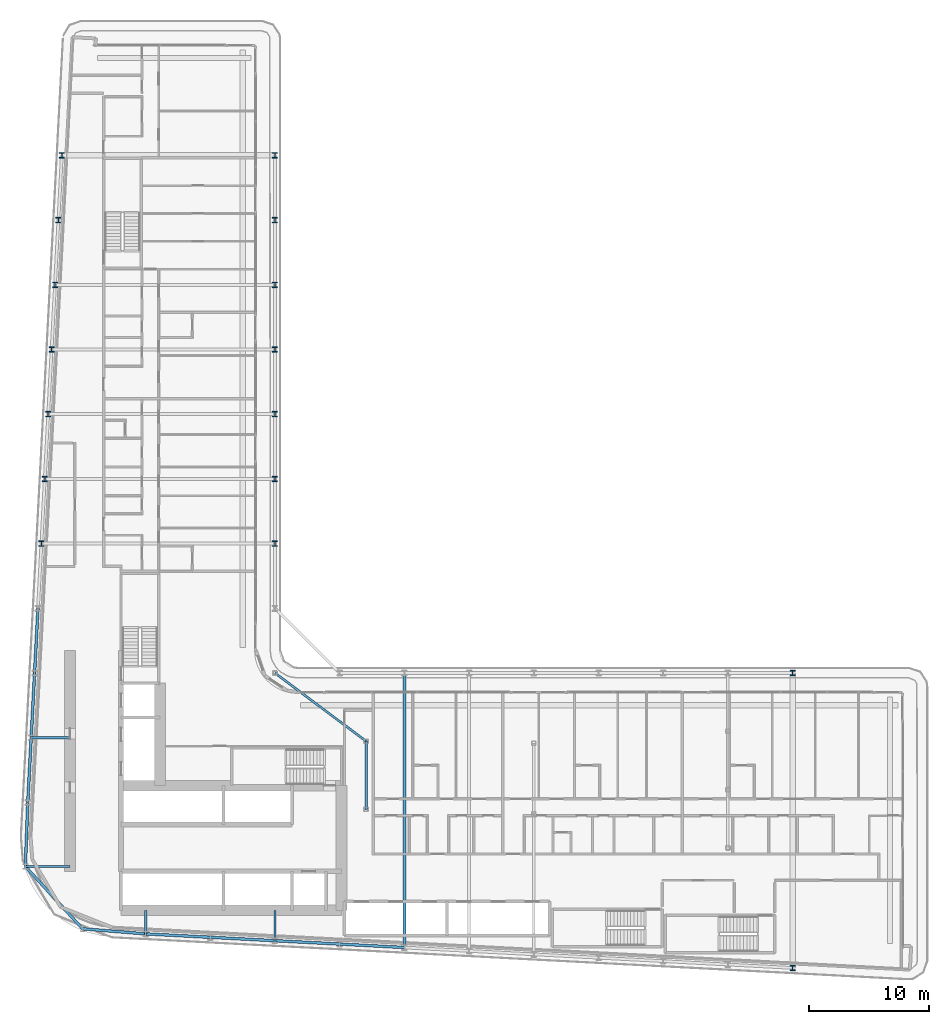
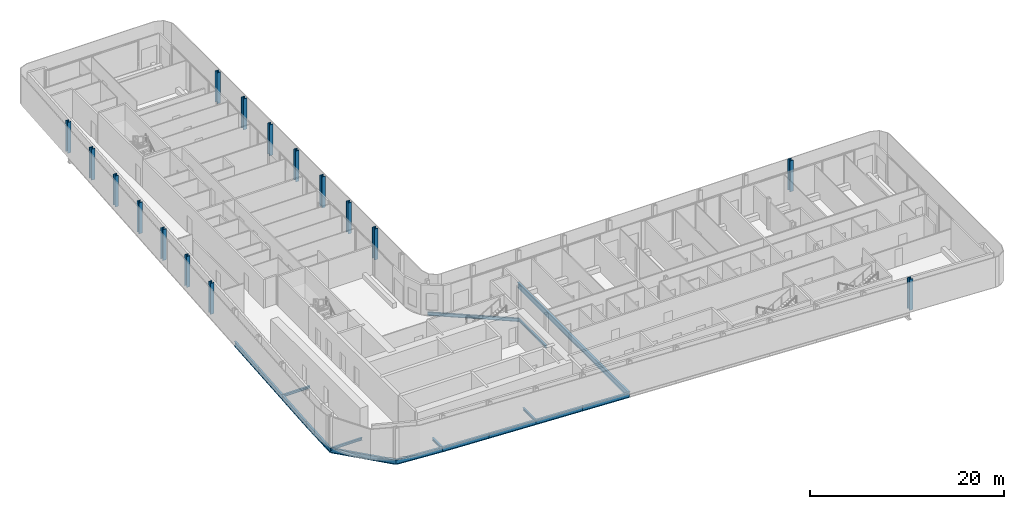
# One storey, part 3 of 29: 17 beams, 16 columns.
"""IFC4 building model written with IfcOpenShell, lengths in metres."""

from ifc_helpers import new_model, si_unit, direction, frame, origin, origin_2d, place, context, subcontext, project, spatial, i_section, extrude, material, material_profile, profile_set, type_object, element, save


model = new_model("IFC4")

# Units and contexts
model_context = context("Model", 3, precision=1e-05, world=origin(), true_north=direction((0.0, 1.0)))
body_context = subcontext(model_context, "Body", "Model", "MODEL_VIEW")
ifc_project = project(units=[si_unit("LENGTHUNIT", "METRE"), si_unit("AREAUNIT", "SQUARE_METRE"), si_unit("VOLUMEUNIT", "CUBIC_METRE"), si_unit("PLANEANGLEUNIT", "RADIAN"), si_unit("MASSUNIT", "GRAM", prefix="KILO")], contexts=[model_context])

# Site, building, storey
site_placement = place(None, origin())
site = spatial("IfcSite", under=ifc_project, at=site_placement, CompositionType="ELEMENT")
building_placement = place(site_placement, origin())
building = spatial("IfcBuilding", under=site, at=building_placement, Name="Kheshtan School and Residences Tower", CompositionType="ELEMENT")
storey_placement = place(building_placement, frame((0.0, 0.0, 121.39990234375)))
storey = spatial("IfcBuildingStorey", under=building, at=storey_placement, Name="L28", CompositionType="ELEMENT", Elevation=121.39990234375)

# Columns
ifc_material = material(Name="Steel ASTM A992 Grade 50", Category="steel")
ifc_material_profile_1 = material_profile(ifc_material, i_section(OverallWidth=0.41796875, OverallDepth=0.455078125, WebThickness=0.042236328125, FlangeThickness=0.067626953125, FilletRadius=0.013671875, at=origin_2d()), Name="W360x551")
ifc_profile_set_1 = profile_set([ifc_material_profile_1], Name="Steel ASTM A992 Grade 50")
column_type = type_object("IfcColumnType", Name="Column C2 W360x551 ASTM A992 Grade 50", PredefinedType="COLUMN", material=ifc_profile_set_1)
for number, where, z_axis, x_axis, name in (
    (1, (90.800048828125, 20.989990234375, 0.0), (0.0, 0.0, 1.0), (1.0, 0.0, 0.0), "Column C006"),
    (2, (90.800048828125, 45.60009765625, 0.0), (0.0, 0.0, 1.0), (1.0, 0.0, 0.0), "Column C068"),
    (3, (28.10595703125, 56.39990234375, 0.0), (0.0, 0.0, 1.0), (1.0, 0.0, 0.0), "Column C080"),
    (4, (47.60009765625, 56.39990234375, 0.0), (0.0, 0.0, 1.0), (1.0, 0.0, 0.0), "Column C081"),
    (5, (28.389892578125, 61.800048828125, 0.0), (0.0, 0.0, 1.0), (1.0, 0.0, 0.0), "Column C082"),
    (6, (47.60009765625, 61.800048828125, 0.0), (0.0, 0.0, 1.0), (1.0, 0.0, 0.0), "Column C083"),
    (7, (28.674072265625, 67.199951171875, 0.0), (0.0, 0.0, 1.0), (1.0, 0.0, 0.0), "Column C084"),
    (8, (47.60009765625, 67.199951171875, 0.0), (0.0, 0.0, 1.0), (1.0, 0.0, 0.0), "Column C085"),
    (9, (28.9580078125, 72.60009765625, 0.0), (0.0, 0.0, 1.0), (1.0, 0.0, 0.0), "Column C086"),
    (10, (47.60009765625, 72.60009765625, 0.0), (0.0, 0.0, 1.0), (1.0, 0.0, 0.0), "Column C087"),
    (11, (29.242919921875, 78.0, 0.0), (0.0, 0.0, 1.0), (1.0, 0.0, 0.0), "Column C088"),
    (12, (47.60009765625, 78.0, 0.0), (0.0, 0.0, 1.0), (1.0, 0.0, 0.0), "Column C089"),
    (13, (29.527099609375, 83.39990234375, 0.0), (0.0, 0.0, 1.0), (1.0, 0.0, 0.0), "Column C090"),
    (14, (47.60009765625, 83.39990234375, 0.0), (0.0, 0.0, 1.0), (1.0, 0.0, 0.0), "Column C091"),
    (15, (29.81103515625, 88.800048828125, 0.0), (0.0, 0.0, 1.0), (1.0, 0.0, 0.0), "Column C098"),
    (16, (47.60009765625, 88.800048828125, 0.0), (0.0, 0.0, 1.0), (1.0, 0.0, 0.0), "Column C099"),
):
    element("IfcColumn", number, at=place(storey_placement, frame(where, z_axis=z_axis, x_axis=x_axis)), inside=storey, type_object=column_type, Name=name, PredefinedType="COLUMN", context=body_context, shape_type="SweptSolid", body=[
        extrude(i_section(OverallWidth=0.41796875, OverallDepth=0.455078125, WebThickness=0.042236328125, FlangeThickness=0.067626953125, FilletRadius=0.013671875, at=origin_2d()), origin(), (0.0, 0.0, 1.0), 3.900146484375),
    ])

# Beams
ifc_material_profile_2 = material_profile(ifc_material, i_section(OverallWidth=0.202880859375, OverallDepth=0.302978515625, WebThickness=0.007568359375, FlangeThickness=0.01318359375, FilletRadius=0.009033203125, at=origin_2d()), Name="W310x60")
ifc_profile_set_2 = profile_set([ifc_material_profile_2], Name="Steel ASTM A992 Grade 50")
beam_type_1 = type_object("IfcBeamType", Name="Beam FB1 W310x60 ASTM A992 Grade 50", PredefinedType="BEAM", material=ifc_profile_set_2)
beam_1_placement = place(storey_placement, frame((47.60009765625, 23.263916015625, -0.301513671875), z_axis=(0.0, 1.0, 0.0), x_axis=(-1.0, 0.0, 0.0)))
element("IfcBeam", 17, at=beam_1_placement, inside=storey, type_object=beam_type_1, Name="Floor beam C020", PredefinedType="BEAM", context=body_context, shape_type="SweptSolid", body=[
    extrude(i_section(OverallWidth=0.202880859375, OverallDepth=0.302978515625, WebThickness=0.007568359375, FlangeThickness=0.01318359375, FilletRadius=0.009033203125, at=origin_2d()), origin(), (0.0, 0.0, 1.0), 2.5361328125),
])
beam_2_placement = place(storey_placement, frame((36.800048828125, 23.83203125, -0.301513671875), z_axis=(0.0, 1.0, 0.0), x_axis=(-1.0, 0.0, 0.0)))
element("IfcBeam", 18, at=beam_2_placement, inside=storey, type_object=beam_type_1, Name="Floor beam C022", PredefinedType="BEAM", context=body_context, shape_type="SweptSolid", body=[
    extrude(i_section(OverallWidth=0.202880859375, OverallDepth=0.302978515625, WebThickness=0.007568359375, FlangeThickness=0.01318359375, FilletRadius=0.009033203125, at=origin_2d()), origin(), (0.0, 0.0, 1.0), 1.968017578125),
])
beam_3_placement = place(storey_placement, frame((26.76904296875, 29.4541015625, -0.301513671875), z_axis=(1.0, 0.0, 0.0), x_axis=(0.0, 1.0, 0.0)))
element("IfcBeam", 19, at=beam_3_placement, inside=storey, type_object=beam_type_1, Name="Floor beam C038", PredefinedType="BEAM", context=body_context, shape_type="SweptSolid", body=[
    extrude(i_section(OverallWidth=0.202880859375, OverallDepth=0.302978515625, WebThickness=0.007568359375, FlangeThickness=0.01318359375, FilletRadius=0.009033203125, at=origin_2d()), origin(), (0.0, 0.0, 1.0), 3.73095703125),
])
beam_4_placement = place(storey_placement, frame((27.2529296875, 40.199951171875, -0.301513671875), z_axis=(1.0, 0.0, 0.0), x_axis=(0.0, 1.0, 0.0)))
element("IfcBeam", 20, at=beam_4_placement, inside=storey, type_object=beam_type_1, Name="Floor beam C056", PredefinedType="BEAM", context=body_context, shape_type="SweptSolid", body=[
    extrude(i_section(OverallWidth=0.202880859375, OverallDepth=0.302978515625, WebThickness=0.007568359375, FlangeThickness=0.01318359375, FilletRadius=0.009033203125, at=origin_2d()), origin(), (0.0, 0.0, 1.0), 3.2470703125),
])
beam_5_placement = place(storey_placement, frame((55.199951171875, 34.23193359375, -0.301513671875), z_axis=(0.0, 1.0, 0.0), x_axis=(-1.0, 0.0, 0.0)))
element("IfcBeam", 21, at=beam_5_placement, inside=storey, type_object=beam_type_1, Name="Floor beam IC", PredefinedType="BEAM", context=body_context, shape_type="SweptSolid", body=[
    extrude(i_section(OverallWidth=0.202880859375, OverallDepth=0.302978515625, WebThickness=0.007568359375, FlangeThickness=0.01318359375, FilletRadius=0.009033203125, at=origin_2d()), origin(), (0.0, 0.0, 1.0), 5.68408203125),
])
ifc_material_profile_3 = material_profile(ifc_material, i_section(OverallWidth=0.180908203125, OverallDepth=0.4169921875, WebThickness=0.010986328125, FlangeThickness=0.018310546875, FilletRadius=0.012451171875, at=origin_2d()), Name="W410x85")
ifc_profile_set_3 = profile_set([ifc_material_profile_3], Name="Steel ASTM A992 Grade 50")
beam_type_2 = type_object("IfcBeamType", Name="Beam FB3 W410x85 ASTM A992 Grade 50", PredefinedType="BEAM", material=ifc_profile_set_3)
beam_6_placement = place(storey_placement, frame((47.60009765625, 45.60009765625, -0.3583984375), z_axis=(0.800798828004, -0.598933416222, 0.0), x_axis=(0.598933416222, 0.800798828004, 0.0)))
element("IfcBeam", 22, at=beam_6_placement, inside=storey, type_object=beam_type_2, Name="Floor beam IC", PredefinedType="BEAM", context=body_context, shape_type="SweptSolid", body=[
    extrude(i_section(OverallWidth=0.180908203125, OverallDepth=0.4169921875, WebThickness=0.010986328125, FlangeThickness=0.018310546875, FilletRadius=0.012451171875, at=origin_2d()), origin(), (0.0, 0.0, 1.0), 9.490234375),
])
ifc_material_profile_4 = material_profile(ifc_material, i_section(OverallWidth=0.2529296875, OverallDepth=0.677978515625, WebThickness=0.01171875, FlangeThickness=0.016357421875, FilletRadius=0.0146484375, at=origin_2d()), Name="W690x125")
ifc_profile_set_4 = profile_set([ifc_material_profile_4], Name="Steel ASTM A992 Grade 50")
beam_type_3 = type_object("IfcBeamType", Name="Beam FB6 W690x125 ASTM A992 Grade 50", PredefinedType="BEAM", material=ifc_profile_set_4)
beam_7_placement = place(storey_placement, frame((58.39990234375, 22.695068359375, -0.489013671875), z_axis=(0.0, 1.0, 0.0), x_axis=(-1.0, 0.0, 0.0)))
element("IfcBeam", 23, at=beam_7_placement, inside=storey, type_object=beam_type_3, Name="Floor beam C018", PredefinedType="BEAM", context=body_context, shape_type="SweptSolid", body=[
    extrude(i_section(OverallWidth=0.2529296875, OverallDepth=0.677978515625, WebThickness=0.01171875, FlangeThickness=0.016357421875, FilletRadius=0.0146484375, at=origin_2d()), origin(), (0.0, 0.0, 1.0), 22.905029296875),
])
ifc_material_profile_5 = material_profile(ifc_material, i_section(OverallWidth=0.22802734375, OverallDepth=0.60302734375, WebThickness=0.010498046875, FlangeThickness=0.014892578125, FilletRadius=0.013427734375, at=origin_2d()), Name="W610x101")
ifc_profile_set_5 = profile_set([ifc_material_profile_5], Name="Steel ASTM A992 Grade 50")
beam_type_4 = type_object("IfcBeamType", Name="Beam SP2 W610x101 ASTM A992 Grade 50", PredefinedType="BEAM", material=ifc_profile_set_5)
for number, where, z_axis, x_axis, name in (
    (24, (58.39990234375, 22.695068359375, -0.451416015625), (-0.998610961136, 0.052689166816, 0.0), (-0.052689166816, -0.998610961136, 0.0), "Spandrel beam C018-C019"),
    (25, (53.0, 22.97998046875, -0.451416015625), (-0.998620447272, 0.05250906864, 0.0), (-0.05250906864, -0.998620447272, 0.0), "Spandrel beam C019-C020"),
):
    element("IfcBeam", number, at=place(storey_placement, frame(where, z_axis=z_axis, x_axis=x_axis)), inside=storey, type_object=beam_type_4, Name=name, PredefinedType="BEAM", context=body_context, shape_type="SweptSolid", body=[
        extrude(i_section(OverallWidth=0.22802734375, OverallDepth=0.60302734375, WebThickness=0.010498046875, FlangeThickness=0.014892578125, FilletRadius=0.013427734375, at=origin_2d()), origin(), (0.0, 0.0, 1.0), 5.407470703125),
    ])
beam_8_placement = place(storey_placement, frame((47.60009765625, 23.263916015625, -0.451416015625), z_axis=(-0.998618203458, 0.052551724256, 0.0), x_axis=(-0.052551724256, -0.998618203458, 0.0)))
element("IfcBeam", 26, at=beam_8_placement, inside=storey, type_object=beam_type_4, Name="Spandrel beam C020-C021", PredefinedType="BEAM", context=body_context, shape_type="SweptSolid", body=[
    extrude(i_section(OverallWidth=0.22802734375, OverallDepth=0.60302734375, WebThickness=0.010498046875, FlangeThickness=0.014892578125, FilletRadius=0.013427734375, at=origin_2d()), origin(), (0.0, 0.0, 1.0), 5.40771484375),
])
beam_9_placement = place(storey_placement, frame((42.199951171875, 23.548095703125, -0.451416015625), z_axis=(-0.998620447272, 0.05250906864, 0.0), x_axis=(-0.05250906864, -0.998620447272, 0.0)))
element("IfcBeam", 27, at=beam_9_placement, inside=storey, type_object=beam_type_4, Name="Spandrel beam C021-C022", PredefinedType="BEAM", context=body_context, shape_type="SweptSolid", body=[
    extrude(i_section(OverallWidth=0.22802734375, OverallDepth=0.60302734375, WebThickness=0.010498046875, FlangeThickness=0.014892578125, FilletRadius=0.013427734375, at=origin_2d()), origin(), (0.0, 0.0, 1.0), 5.407470703125),
])
beam_10_placement = place(storey_placement, frame((36.800048828125, 23.83203125, -0.451416015625), z_axis=(-0.996748565693, 0.08057479003, 0.0), x_axis=(-0.08057479003, -0.996748565693, 0.0)))
element("IfcBeam", 28, at=beam_10_placement, inside=storey, type_object=beam_type_4, Name="Spandrel beam C022-C025", PredefinedType="BEAM", context=body_context, shape_type="SweptSolid", body=[
    extrude(i_section(OverallWidth=0.22802734375, OverallDepth=0.60302734375, WebThickness=0.010498046875, FlangeThickness=0.014892578125, FilletRadius=0.013427734375, at=origin_2d()), origin(), (0.0, 0.0, 1.0), 5.275146484375),
])
beam_11_placement = place(storey_placement, frame((31.5419921875, 24.257080078125, -0.451416015625), z_axis=(-0.676418406149, 0.736517576045, 0.0), x_axis=(-0.736517576045, -0.676418406149, 0.0)))
element("IfcBeam", 29, at=beam_11_placement, inside=storey, type_object=beam_type_4, Name="Spandrel beam C025-C038", PredefinedType="BEAM", context=body_context, shape_type="SweptSolid", body=[
    extrude(i_section(OverallWidth=0.22802734375, OverallDepth=0.60302734375, WebThickness=0.010498046875, FlangeThickness=0.014892578125, FilletRadius=0.013427734375, at=origin_2d()), origin(), (0.0, 0.0, 1.0), 7.05615234375),
])
beam_12_placement = place(storey_placement, frame((26.76904296875, 29.4541015625, -0.451416015625), z_axis=(0.037376249491, 0.999301263871, 0.0), x_axis=(-0.999301263871, 0.037376249491, 0.0)))
element("IfcBeam", 30, at=beam_12_placement, inside=storey, type_object=beam_type_4, Name="Spandrel beam C038-C052", PredefinedType="BEAM", context=body_context, shape_type="SweptSolid", body=[
    extrude(i_section(OverallWidth=0.22802734375, OverallDepth=0.60302734375, WebThickness=0.010498046875, FlangeThickness=0.014892578125, FilletRadius=0.013427734375, at=origin_2d()), origin(), (0.0, 0.0, 1.0), 5.349609375),
])
beam_13_placement = place(storey_placement, frame((26.968994140625, 34.800048828125, -0.451416015625), z_axis=(0.05250906864, 0.998620447272, 0.0), x_axis=(-0.998620447272, 0.05250906864, 0.0)))
element("IfcBeam", 31, at=beam_13_placement, inside=storey, type_object=beam_type_4, Name="Spandrel beam C052-C056", PredefinedType="BEAM", context=body_context, shape_type="SweptSolid", body=[
    extrude(i_section(OverallWidth=0.22802734375, OverallDepth=0.60302734375, WebThickness=0.010498046875, FlangeThickness=0.014892578125, FilletRadius=0.013427734375, at=origin_2d()), origin(), (0.0, 0.0, 1.0), 5.407470703125),
])
beam_14_placement = place(storey_placement, frame((27.2529296875, 40.199951171875, -0.451416015625), z_axis=(0.052551724256, 0.998618203458, 0.0), x_axis=(-0.998618203458, 0.052551724256, 0.0)))
element("IfcBeam", 32, at=beam_14_placement, inside=storey, type_object=beam_type_4, Name="Spandrel beam C056-C059", PredefinedType="BEAM", context=body_context, shape_type="SweptSolid", body=[
    extrude(i_section(OverallWidth=0.22802734375, OverallDepth=0.60302734375, WebThickness=0.010498046875, FlangeThickness=0.014892578125, FilletRadius=0.013427734375, at=origin_2d()), origin(), (0.0, 0.0, 1.0), 5.40771484375),
])
beam_15_placement = place(storey_placement, frame((27.537109375, 45.60009765625, -0.451416015625), z_axis=(0.052689166816, 0.998610961136, 0.0), x_axis=(-0.998610961136, 0.052689166816, 0.0)))
element("IfcBeam", 33, at=beam_15_placement, inside=storey, type_object=beam_type_4, Name="Spandrel beam C059-C078", PredefinedType="BEAM", context=body_context, shape_type="SweptSolid", body=[
    extrude(i_section(OverallWidth=0.22802734375, OverallDepth=0.60302734375, WebThickness=0.010498046875, FlangeThickness=0.014892578125, FilletRadius=0.013427734375, at=origin_2d()), origin(), (0.0, 0.0, 1.0), 5.407470703125),
])

save(model, "model.ifc")
